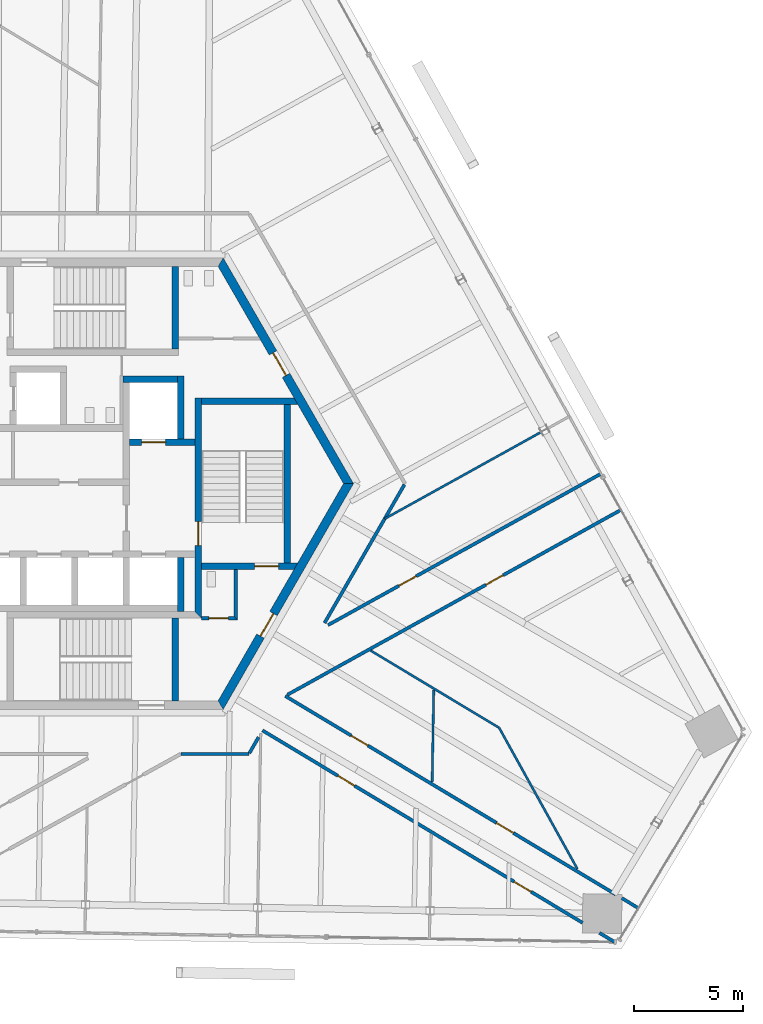
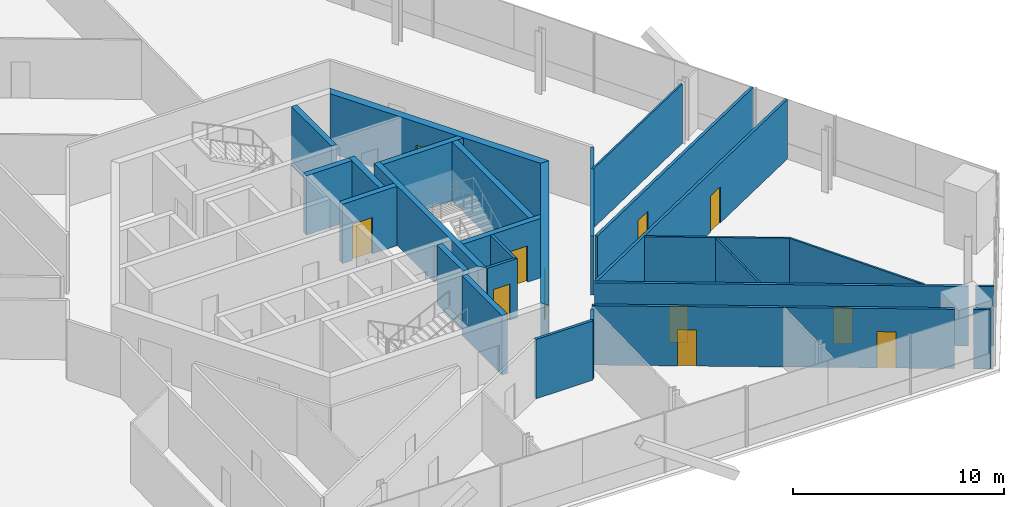
# One storey, part 13 of 18: 27 walls, 12 doors, 12 openings.
"""IFC4 building model written with IfcOpenShell, lengths in metres."""

from ifc_helpers import new_model, si_unit, direction, frame, frame_2d, origin, place, context, subcontext, project, spatial, polyline, rectangle, outline, extrude, source, transform, mapped, material, layer, layer_set, type_object, element, fill, save


model = new_model("IFC4")

# Units and contexts
model_context = context("Model", 3, precision=1e-05, world=origin(), true_north=direction((0.0, 1.0)))
body_context = subcontext(model_context, "Body", "Model", "MODEL_VIEW")
ifc_project = project(units=[si_unit("LENGTHUNIT", "METRE"), si_unit("AREAUNIT", "SQUARE_METRE"), si_unit("VOLUMEUNIT", "CUBIC_METRE"), si_unit("PLANEANGLEUNIT", "RADIAN"), si_unit("MASSUNIT", "GRAM", prefix="KILO")], contexts=[model_context])

# Site, building, storey
site_placement = place(None, origin())
site = spatial("IfcSite", under=ifc_project, at=site_placement, CompositionType="ELEMENT")
building_placement = place(site_placement, origin())
building = spatial("IfcBuilding", under=site, at=building_placement, Name="Triune Harvest Tower", CompositionType="ELEMENT")
storey_placement = place(building_placement, frame((0.0, 0.0, 190.699951171875)))
storey = spatial("IfcBuildingStorey", under=building, at=storey_placement, Name="L49", CompositionType="ELEMENT", Elevation=190.699951171875)

# Wall, openings, doors
ifc_material_1 = material(Name="Gypsum board on steel studs", Category="steel")
ifc_layer_1 = layer(ifc_material_1, 0.14990234375)
ifc_layer_set_1 = layer_set([ifc_layer_1], Name="Gypsum board on steel studs")
wall_type_1 = type_object("IfcWallType", Name="Fire Partition 150 mm", PredefinedType="PARTITIONING", material=ifc_layer_set_1)
wall_1_placement = place(storey_placement, frame((7.8095703125, -11.358154296875, 0.0), z_axis=(0.0, 0.0, 1.0), x_axis=(0.857164384255, -0.515042928663, 0.0)))
wall_1 = element("IfcWall", 1, at=wall_1_placement, inside=storey, type_object=wall_type_1, Name="Partition L49 006", PredefinedType="PARTITIONING", context=body_context, shape_type="SweptSolid", body=[
    extrude(rectangle(XDim=17.18798828125, YDim=0.14990234375, at=frame_2d((8.593994140625, 0.0))), origin(), (0.0, 0.0, 1.0), 3.43994140625),
])
opening_1_placement = place(wall_1_placement, frame((4.050048828125, 0.0, 0.0)))
opening_1 = element("IfcOpeningElement", 2, at=opening_1_placement, cuts=wall_1, Name="Opening L49-015", PredefinedType="OPENING", context=body_context, shape_type="SweptSolid", body=[
    extrude(rectangle(XDim=0.89990234375, YDim=2.10009765625, at=frame_2d((0.449951171875, 1.050048828125))), frame((0.0, 0.0849609375, 0.0), z_axis=(0.0, -1.0, 0.0), x_axis=(1.0, 0.0, 0.0)), (0.0, 0.0, 1.0), 0.169921875),
])
opening_2_placement = place(wall_1_placement, frame((13.511962890625, 0.0, 0.0)))
opening_2 = element("IfcOpeningElement", 3, at=opening_2_placement, cuts=wall_1, Name="Opening L49-018", PredefinedType="OPENING", context=body_context, shape_type="SweptSolid", body=[
    extrude(rectangle(XDim=0.89990234375, YDim=2.10009765625, at=frame_2d((0.449951171875, 1.050048828125))), frame((0.0, 0.0849609375, 0.0), z_axis=(0.0, -1.0, 0.0), x_axis=(1.0, 0.0, 0.0)), (0.0, 0.0, 1.0), 0.169921875),
])
ifc_material_2 = material(Name="Timber and steel door set", Category="steel")
door_type_1 = type_object("IfcDoorType", Name="Single leaf door FD30 left hand 900 x 2100", OperationType="SINGLE_SWING_LEFT", PredefinedType="DOOR", material=ifc_material_2)
door_1_placement = place(opening_2_placement, origin())
door_1 = element("IfcDoor", 4, at=door_1_placement, inside=storey, type_object=door_type_1, Name="Door L49-018 Dry Store Room 49.18", OperationType="SINGLE_SWING_LEFT", OverallHeight=2.10009765625, OverallWidth=0.89990234375, PredefinedType="DOOR", context=body_context, shape_type="SweptSolid", body=[
    extrude(rectangle(XDim=0.89990234375, YDim=2.10009765625, at=frame_2d((0.449951171875, 1.050048828125))), frame((0.0, 0.02490234375, 0.0), z_axis=(0.0, -1.0, 0.0), x_axis=(1.0, 0.0, 0.0)), (0.0, 0.0, 1.0), 0.050048828125),
])
fill(opening_2, door_1)
ifc_material_3 = material(Name="Timber and steel door set", Category="steel")
door_type_2 = type_object("IfcDoorType", Name="Single leaf door FD30 right hand 900 x 2100", OperationType="SINGLE_SWING_RIGHT", PredefinedType="DOOR", material=ifc_material_3)
door_2_placement = place(opening_1_placement, origin())
door_2 = element("IfcDoor", 5, at=door_2_placement, inside=storey, type_object=door_type_2, Name="Door L49-015 Open Office 49.15", OperationType="SINGLE_SWING_RIGHT", OverallHeight=2.10009765625, OverallWidth=0.89990234375, PredefinedType="DOOR", context=body_context, shape_type="SweptSolid", body=[
    extrude(rectangle(XDim=0.89990234375, YDim=2.10009765625, at=frame_2d((0.449951171875, 1.050048828125))), frame((0.0, 0.02490234375, 0.0), z_axis=(0.0, -1.0, 0.0), x_axis=(1.0, 0.0, 0.0)), (0.0, 0.0, 1.0), 0.050048828125),
])
fill(opening_1, door_2)

# Wall
wall_2_placement = place(storey_placement, frame((23.3154296875, -20.675048828125, 0.0), z_axis=(0.0, 0.0, 1.0), x_axis=(0.857152999677, -0.515061875065, 0.0)))
element("IfcWall", 6, at=wall_2_placement, inside=storey, type_object=wall_type_1, Name="Partition L49 007", PredefinedType="PARTITIONING", context=body_context, shape_type="SweptSolid", body=[
    extrude(rectangle(XDim=0.82421875, YDim=0.14990234375, at=frame_2d((0.412109375, 0.0))), origin(), (0.0, 0.0, 1.0), 3.43994140625),
])

# Wall, openings, doors
wall_3_placement = place(storey_placement, frame((8.858154296875, -9.771484375, 0.0), z_axis=(0.0, 0.0, 1.0), x_axis=(0.857168517192, -0.515036050326, 0.0)))
wall_3 = element("IfcWall", 7, at=wall_3_placement, inside=storey, type_object=wall_type_1, Name="Partition L49 009", PredefinedType="PARTITIONING", context=body_context, shape_type="SweptSolid", body=[
    extrude(rectangle(XDim=17.739013671875, YDim=0.14990234375, at=frame_2d((8.86962890625, 0.0))), origin(), (0.0, 0.0, 1.0), 3.43994140625),
])
opening_3_placement = place(wall_3_placement, frame((3.533203125, 0.0, 0.0)))
opening_3 = element("IfcOpeningElement", 8, at=opening_3_placement, cuts=wall_3, Name="Opening L49-016", PredefinedType="OPENING", context=body_context, shape_type="SweptSolid", body=[
    extrude(rectangle(XDim=0.89990234375, YDim=2.10009765625, at=frame_2d((0.449951171875, 1.050048828125))), frame((0.0, 0.0849609375, 0.0), z_axis=(0.0, -1.0, 0.0), x_axis=(1.0, 0.0, 0.0)), (0.0, 0.0, 1.0), 0.169921875),
])
opening_4_placement = place(wall_3_placement, frame((11.345947265625, 0.0, 0.0)))
opening_4 = element("IfcOpeningElement", 9, at=opening_4_placement, cuts=wall_3, Name="Opening L49-017", PredefinedType="OPENING", context=body_context, shape_type="SweptSolid", body=[
    extrude(rectangle(XDim=0.89990234375, YDim=2.10009765625, at=frame_2d((0.449951171875, 1.050048828125))), frame((0.0, 0.0849609375, 0.0), z_axis=(0.0, -1.0, 0.0), x_axis=(1.0, 0.0, 0.0)), (0.0, 0.0, 1.0), 0.169921875),
])
door_3_placement = place(opening_3_placement, origin())
door_3 = element("IfcDoor", 10, at=door_3_placement, inside=storey, type_object=door_type_1, Name="Door L49-016 Open Office 49.16", OperationType="SINGLE_SWING_LEFT", OverallHeight=2.10009765625, OverallWidth=0.89990234375, PredefinedType="DOOR", context=body_context, shape_type="SweptSolid", body=[
    extrude(rectangle(XDim=0.89990234375, YDim=2.10009765625, at=frame_2d((0.449951171875, 1.050048828125))), frame((0.0, 0.02490234375, 0.0), z_axis=(0.0, -1.0, 0.0), x_axis=(1.0, 0.0, 0.0)), (0.0, 0.0, 1.0), 0.050048828125),
])
fill(opening_3, door_3)
door_4_placement = place(opening_4_placement, origin())
door_4 = element("IfcDoor", 11, at=door_4_placement, inside=storey, type_object=door_type_2, Name="Door L49-017 Pantry 49.17", OperationType="SINGLE_SWING_RIGHT", OverallHeight=2.10009765625, OverallWidth=0.89990234375, PredefinedType="DOOR", context=body_context, shape_type="SweptSolid", body=[
    extrude(rectangle(XDim=0.89990234375, YDim=2.10009765625, at=frame_2d((0.449951171875, 1.050048828125))), frame((0.0, 0.02490234375, 0.0), z_axis=(0.0, -1.0, 0.0), x_axis=(1.0, 0.0, 0.0)), (0.0, 0.0, 1.0), 0.050048828125),
])
fill(opening_4, door_4)

# Wall
wall_4_placement = place(storey_placement, frame((24.342529296875, -19.075439453125, 0.0), z_axis=(0.0, 0.0, 1.0), x_axis=(0.857035300421, -0.515257696529, 0.0)))
element("IfcWall", 12, at=wall_4_placement, inside=storey, type_object=wall_type_1, Name="Partition L49 010", PredefinedType="PARTITIONING", context=body_context, shape_type="SweptSolid", body=[
    extrude(rectangle(XDim=0.89501953125, YDim=0.14990234375, at=frame_2d((0.447509765625, 0.0))), origin(), (0.0, 0.0, 1.0), 3.43994140625),
])

# Wall, opening, door
wall_5_placement = place(storey_placement, frame((8.954345703125, -9.71826171875, 0.0), z_axis=(0.0, 0.0, 1.0), x_axis=(0.874618658171, 0.484811512631, 0.0)))
wall_5 = element("IfcWall", 13, at=wall_5_placement, inside=storey, type_object=wall_type_1, Name="Partition L49 021", PredefinedType="PARTITIONING", context=body_context, shape_type="SweptSolid", body=[
    extrude(rectangle(XDim=17.556640625, YDim=0.14990234375, at=frame_2d((8.7783203125, 0.0))), origin(), (0.0, 0.0, 1.0), 3.43994140625),
])
opening_5_placement = place(wall_5_placement, frame((10.443603515625, 0.0, 0.0)))
opening_5 = element("IfcOpeningElement", 14, at=opening_5_placement, cuts=wall_5, Name="Opening L49-002", PredefinedType="OPENING", context=body_context, shape_type="SweptSolid", body=[
    extrude(rectangle(XDim=0.89990234375, YDim=2.10009765625, at=frame_2d((0.449951171875, 1.050048828125))), frame((0.0, 0.0849609375, 0.0), z_axis=(0.0, -1.0, 0.0), x_axis=(1.0, 0.0, 0.0)), (0.0, 0.0, 1.0), 0.169921875),
])
door_5_placement = place(opening_5_placement, origin())
door_5 = element("IfcDoor", 15, at=door_5_placement, inside=storey, type_object=door_type_1, Name="Door L49-002 Office 49.02", OperationType="SINGLE_SWING_LEFT", OverallHeight=2.10009765625, OverallWidth=0.89990234375, PredefinedType="DOOR", context=body_context, shape_type="SweptSolid", body=[
    extrude(rectangle(XDim=0.89990234375, YDim=2.10009765625, at=frame_2d((0.449951171875, 1.050048828125))), frame((0.0, 0.02490234375, 0.0), z_axis=(0.0, -1.0, 0.0), x_axis=(1.0, 0.0, 0.0)), (0.0, 0.0, 1.0), 0.050048828125),
])
fill(opening_5, door_5)

# Walls
wall_6_placement = place(storey_placement, frame((7.20849609375, -12.3994140625, 0.0), z_axis=(0.0, 0.0, 1.0), x_axis=(0.49975591337, 0.86616628141, 0.0)))
element("IfcWall", 16, at=wall_6_placement, inside=storey, type_object=wall_type_1, Name="Partition L49 028", PredefinedType="PARTITIONING", context=body_context, shape_type="SweptSolid", body=[
    extrude(rectangle(XDim=0.84228515625, YDim=0.14990234375, at=frame_2d((0.421142578125, 0.0))), origin(), (0.0, 0.0, 1.0), 3.43994140625),
])
wall_7_placement = place(storey_placement, frame((10.665283203125, -6.411865234375, 0.0), z_axis=(0.0, 0.0, 1.0), x_axis=(0.499966723152, 0.866044615329, 0.0)))
element("IfcWall", 17, at=wall_7_placement, inside=storey, type_object=wall_type_1, Name="Partition L49 029", PredefinedType="PARTITIONING", context=body_context, shape_type="SweptSolid", body=[
    extrude(rectangle(XDim=7.35400390625, YDim=0.14990234375, at=frame_2d((3.677001953125, 0.0))), origin(), (0.0, 0.0, 1.0), 3.43994140625),
])
ifc_material_4 = material(Name="Gypsum board on steel studs", Category="steel")
ifc_layer_2 = layer(ifc_material_4, 0.10009765625)
ifc_layer_set_2 = layer_set([ifc_layer_2], Name="Gypsum board on steel studs")
wall_type_2 = type_object("IfcWallType", Name="Partition 100 mm", PredefinedType="PARTITIONING", material=ifc_layer_set_2)
wall_8_placement = place(storey_placement, frame((18.7001953125, -11.236083984375, 0.0), z_axis=(0.0, 0.0, 1.0), x_axis=(0.484783085913, -0.874634414834, 0.0)))
element("IfcWall", 18, at=wall_8_placement, inside=storey, type_object=wall_type_2, Name="Partition L49 001", PredefinedType="PARTITIONING", context=body_context, shape_type="SweptSolid", body=[
    extrude(rectangle(XDim=7.42724609375, YDim=0.10009765625, at=frame_2d((3.713623046875, 0.0))), origin(), (0.0, 0.0, 1.0), 3.43994140625),
])
wall_9_placement = place(storey_placement, frame((12.78662109375, -7.68310546875, 0.0), z_axis=(0.0, 0.0, 1.0), x_axis=(0.857173792753, -0.515027270168, 0.0)))
element("IfcWall", 19, at=wall_9_placement, inside=storey, type_object=wall_type_2, Name="Partition L49 011", PredefinedType="PARTITIONING", context=body_context, shape_type="SweptSolid", body=[
    extrude(rectangle(XDim=6.888671875, YDim=0.10009765625, at=frame_2d((3.4443359375, 0.0))), origin(), (0.0, 0.0, 1.0), 3.43994140625),
])
wall_10_placement = place(storey_placement, frame((15.616943359375, -13.74169921875, 0.0), z_axis=(0.0, 0.0, 1.0), x_axis=(0.017448548783, 0.999847762485, 0.0)))
element("IfcWall", 20, at=wall_10_placement, inside=storey, type_object=wall_type_2, Name="Partition L49 034", PredefinedType="PARTITIONING", context=body_context, shape_type="SweptSolid", body=[
    extrude(rectangle(XDim=4.253662109375, YDim=0.10009765625, at=frame_2d((2.126953125, 0.0))), origin(), (0.0, 0.0, 1.0), 3.43994140625),
])

# Wall, opening, door
ifc_material_5 = material(Name="Concrete 70 MPa", Category="concrete")
ifc_layer_3 = layer(ifc_material_5, 0.39990234375)
ifc_layer_set_3 = layer_set([ifc_layer_3], Name="Concrete 70 MPa")
wall_type_3 = type_object("IfcWallType", Name="Core wall 400", PredefinedType="SHEAR", material=ifc_layer_set_3)
shared_shape_1 = source(origin(), body_context, "Body", "SweptSolid", [
    extrude(outline(polyline([(-0.115478515625, -0.199951171875), (11.884521484375, -0.199951171875), (11.653564453125, 0.199951171875), (0.115478515625, 0.199951171875), (-0.115478515625, -0.199951171875)])), origin(), (0.0, 0.0, 1.0), 3.43994140625),
])
wall_11_placement = place(storey_placement, frame((11.76904296875, 0.0, 0.0), z_axis=(0.0, 0.0, 1.0), x_axis=(-0.499996592174, 0.866027371285, 0.0)))
wall_11 = element("IfcWall", 21, at=wall_11_placement, inside=storey, type_object=wall_type_3, Name="Hexagon 0 wall", PredefinedType="SHEAR", context=body_context, shape_type="MappedRepresentation", body=[
    mapped(shared_shape_1, transform((0.0, 0.0, 0.0), scale=1.0)),
])
opening_6_placement = place(wall_11_placement, frame((5.75048828125, 0.0, 0.0)))
opening_6 = element("IfcOpeningElement", 22, at=opening_6_placement, cuts=wall_11, Name="Opening CD-WCP", PredefinedType="OPENING", context=body_context, shape_type="SweptSolid", body=[
    extrude(rectangle(XDim=1.199951171875, YDim=2.10009765625, at=frame_2d((0.60009765625, 1.050048828125))), frame((0.0, 0.2099609375, 0.0), z_axis=(0.0, -1.0, 0.0), x_axis=(1.0, 0.0, 0.0)), (0.0, 0.0, 1.0), 0.419921875),
])
ifc_material_6 = material(Name="Steel S235", Category="steel")
door_type_3 = type_object("IfcDoorType", Name="Lobby door 1200 FD120", OperationType="SINGLE_SWING_LEFT", PredefinedType="DOOR", material=ifc_material_6)
door_6_placement = place(opening_6_placement, frame((1.199951171875, 0.0, 0.0), z_axis=(0.0, 0.0, 1.0), x_axis=(-1.0, 0.0, 0.0)))
door_6 = element("IfcDoor", 23, at=door_6_placement, inside=storey, type_object=door_type_3, Name="Door CD-WCP", OperationType="SINGLE_SWING_RIGHT", OverallHeight=2.10009765625, OverallWidth=1.199951171875, PredefinedType="DOOR", context=body_context, shape_type="SweptSolid", body=[
    extrude(rectangle(XDim=1.199951171875, YDim=2.10009765625, at=frame_2d((0.60009765625, 1.050048828125))), frame((0.0, 0.02490234375, 0.0), z_axis=(0.0, -1.0, 0.0), x_axis=(1.0, 0.0, 0.0)), (0.0, 0.0, 1.0), 0.050048828125),
])
fill(opening_6, door_6)

wall_12_placement = place(storey_placement, frame((5.884521484375, -10.1923828125, 0.0), z_axis=(0.0, 0.0, 1.0), x_axis=(0.499996592174, 0.866027371285, 0.0)))
wall_12 = element("IfcWall", 24, at=wall_12_placement, inside=storey, type_object=wall_type_3, Name="Hexagon 5 wall", PredefinedType="SHEAR", context=body_context, shape_type="MappedRepresentation", body=[
    mapped(shared_shape_1, transform((0.0, 0.0, 0.0), scale=1.0)),
])
opening_7_placement = place(wall_12_placement, frame((3.66455078125, 0.0, 0.0)))
opening_7 = element("IfcOpeningElement", 25, at=opening_7_placement, cuts=wall_12, Name="Opening CD-DP", PredefinedType="OPENING", context=body_context, shape_type="SweptSolid", body=[
    extrude(rectangle(XDim=1.199951171875, YDim=2.10009765625, at=frame_2d((0.60009765625, 1.050048828125))), frame((0.0, 0.2099609375, 0.0), z_axis=(0.0, -1.0, 0.0), x_axis=(1.0, 0.0, 0.0)), (0.0, 0.0, 1.0), 0.419921875),
])
ifc_material_7 = material(Name="Steel S235", Category="steel")
door_type_4 = type_object("IfcDoorType", Name="Stair door 1200 FD120", OperationType="SINGLE_SWING_LEFT", PredefinedType="DOOR", material=ifc_material_7)
door_7_placement = place(opening_7_placement, frame((1.199951171875, 0.0, 0.0), z_axis=(0.0, 0.0, 1.0), x_axis=(-1.0, 0.0, 0.0)))
door_7 = element("IfcDoor", 26, at=door_7_placement, inside=storey, type_object=door_type_4, Name="Door CD-DP", OperationType="SINGLE_SWING_RIGHT", OverallHeight=2.10009765625, OverallWidth=1.199951171875, PredefinedType="DOOR", context=body_context, shape_type="SweptSolid", body=[
    extrude(rectangle(XDim=1.199951171875, YDim=2.10009765625, at=frame_2d((0.60009765625, 1.050048828125))), frame((0.0, 0.02490234375, 0.0), z_axis=(0.0, -1.0, 0.0), x_axis=(1.0, 0.0, 0.0)), (0.0, 0.0, 1.0), 0.050048828125),
])
fill(opening_7, door_7)

# Walls
ifc_material_8 = material(Name="Concrete 70 MPa", Category="concrete")
ifc_layer_4 = layer(ifc_material_8, 0.300048828125)
ifc_layer_set_4 = layer_set([ifc_layer_4], Name="Concrete 70 MPa")
wall_type_4 = type_object("IfcWallType", Name="Core wall 300", PredefinedType="SHEAR", material=ifc_layer_set_4)
shared_shape_2 = source(origin(), body_context, "Body", "SweptSolid", [
    extrude(rectangle(XDim=2.5, YDim=0.300048828125, at=frame_2d((1.25, 0.0))), origin(), (0.0, 0.0, 1.0), 3.43994140625),
])
for number, where, z_axis, x_axis, name in (
    (27, (1.39990234375, 4.81005859375, 0.0), (0.0, 0.0, 1.0), (1.0, 0.0, 0.0), "Ff1 back wall"),
    (28, (4.050048828125, -5.889892578125, 0.0), (0.0, 0.0, 1.0), (0.0, 1.0, 0.0), "Ff2 east wall"),
):
    element("IfcWall", number, at=place(storey_placement, frame(where, z_axis=z_axis, x_axis=x_axis)), inside=storey, type_object=wall_type_4, Name=name, PredefinedType="SHEAR", context=body_context, shape_type="MappedRepresentation", body=[
        mapped(shared_shape_2, transform((0.0, 0.0, 0.0), scale=1.0)),
    ])

# Wall, opening, door
shared_shape_3 = source(origin(), body_context, "Body", "SweptSolid", [
    extrude(rectangle(XDim=3.0, YDim=0.300048828125, at=frame_2d((1.5, 0.0))), origin(), (0.0, 0.0, 1.0), 3.43994140625),
])
wall_13_placement = place(storey_placement, frame((1.699951171875, 1.909912109375, 0.0), z_axis=(0.0, 0.0, 1.0), x_axis=(1.0, 0.0, 0.0)))
wall_13 = element("IfcWall", 29, at=wall_13_placement, inside=storey, type_object=wall_type_4, Name="Ff1 front wall", PredefinedType="SHEAR", context=body_context, shape_type="MappedRepresentation", body=[
    mapped(shared_shape_3, transform((0.0, 0.0, 0.0), scale=1.0)),
])
opening_8_placement = place(wall_13_placement, frame((0.550048828125, 0.0, 0.0)))
opening_8 = element("IfcOpeningElement", 30, at=opening_8_placement, cuts=wall_13, Name="Opening LD-FF1-49", PredefinedType="OPENING", context=body_context, shape_type="SweptSolid", body=[
    extrude(rectangle(XDim=1.10009765625, YDim=2.10009765625, at=frame_2d((0.550048828125, 1.050048828125))), frame((0.0, 0.16015625, 0.0), z_axis=(0.0, -1.0, 0.0), x_axis=(1.0, 0.0, 0.0)), (0.0, 0.0, 1.0), 0.320068359375),
])
ifc_material_9 = material(Name="Stainless steel AISI 304", Category="steel")
door_type_5 = type_object("IfcDoorType", Name="Landing door 1100 x 2100", OperationType="DOUBLE_DOOR_SLIDING", PredefinedType="DOOR", material=ifc_material_9)
door_8_placement = place(opening_8_placement, origin())
door_8 = element("IfcDoor", 31, at=door_8_placement, inside=storey, type_object=door_type_5, Name="Door LD-FF1-49", OperationType="DOUBLE_DOOR_SLIDING", OverallHeight=2.10009765625, OverallWidth=1.10009765625, PredefinedType="DOOR", context=body_context, shape_type="SweptSolid", body=[
    extrude(rectangle(XDim=1.10009765625, YDim=2.10009765625, at=frame_2d((0.550048828125, 1.050048828125))), frame((0.0, 0.02490234375, 0.0), z_axis=(0.0, -1.0, 0.0), x_axis=(1.0, 0.0, 0.0)), (0.0, 0.0, 1.0), 0.050048828125),
])
fill(opening_8, door_8)

# Wall
shared_shape_4 = source(origin(), body_context, "Body", "SweptSolid", [
    extrude(rectangle(XDim=2.89990234375, YDim=0.300048828125, at=frame_2d((1.449951171875, 0.0))), origin(), (0.0, 0.0, 1.0), 3.43994140625),
])
wall_14_placement = place(storey_placement, frame((4.050048828125, 2.06005859375, 0.0), z_axis=(0.0, 0.0, 1.0), x_axis=(0.0, 1.0, 0.0)))
element("IfcWall", 32, at=wall_14_placement, inside=storey, type_object=wall_type_4, Name="Ff1 east wall", PredefinedType="SHEAR", context=body_context, shape_type="MappedRepresentation", body=[
    mapped(shared_shape_4, transform((0.0, 0.0, 0.0), scale=1.0)),
])

# Wall, opening, door
shared_shape_5 = source(origin(), body_context, "Body", "SweptSolid", [
    extrude(outline(polyline([(-0.14990234375, -0.14990234375), (9.989990234375, -0.14990234375), (9.989990234375, 0.14990234375), (0.14990234375, 0.14990234375), (-0.14990234375, -0.14990234375)])), origin(), (0.0, 0.0, 1.0), 3.43994140625),
])
wall_15_placement = place(storey_placement, frame((4.85009765625, -6.0400390625, 0.0), z_axis=(0.0, 0.0, 1.0), x_axis=(0.0, 1.0, 0.0)))
wall_15 = element("IfcWall", 33, at=wall_15_placement, inside=storey, type_object=wall_type_4, Name="Stair e west wall", PredefinedType="SHEAR", context=body_context, shape_type="MappedRepresentation", body=[
    mapped(shared_shape_5, transform((0.0, 0.0, 0.0), scale=1.0)),
])
opening_9_placement = place(wall_15_placement, frame((3.18994140625, 0.0, 0.0)))
opening_9 = element("IfcOpeningElement", 34, at=opening_9_placement, cuts=wall_15, Name="Opening CD-S3L", PredefinedType="OPENING", context=body_context, shape_type="SweptSolid", body=[
    extrude(rectangle(XDim=1.10009765625, YDim=2.10009765625, at=frame_2d((0.550048828125, 1.050048828125))), frame((0.0, 0.16015625, 0.0), z_axis=(0.0, -1.0, 0.0), x_axis=(1.0, 0.0, 0.0)), (0.0, 0.0, 1.0), 0.320068359375),
])
ifc_material_10 = material(Name="Steel S235", Category="steel")
door_type_6 = type_object("IfcDoorType", Name="Stair door 1100 FD120", OperationType="SINGLE_SWING_LEFT", PredefinedType="DOOR", material=ifc_material_10)
door_9_placement = place(opening_9_placement, frame((1.10009765625, 0.0, 0.0), z_axis=(0.0, 0.0, 1.0), x_axis=(-1.0, 0.0, 0.0)))
door_9 = element("IfcDoor", 35, at=door_9_placement, inside=storey, type_object=door_type_6, Name="Door CD-S3L", OperationType="SINGLE_SWING_RIGHT", OverallHeight=2.10009765625, OverallWidth=1.10009765625, PredefinedType="DOOR", context=body_context, shape_type="SweptSolid", body=[
    extrude(rectangle(XDim=1.10009765625, YDim=2.10009765625, at=frame_2d((0.550048828125, 1.050048828125))), frame((0.0, 0.02490234375, 0.0), z_axis=(0.0, -1.0, 0.0), x_axis=(1.0, 0.0, 0.0)), (0.0, 0.0, 1.0), 0.050048828125),
])
fill(opening_9, door_9)

# Wall
shared_shape_6 = source(origin(), body_context, "Body", "SweptSolid", [
    extrude(outline(polyline([(0.0, -0.14990234375), (0.0, 0.14990234375), (4.260009765625, 0.14990234375), (4.43310546875, -0.14990234375), (0.0, -0.14990234375)])), origin(), (0.0, 0.0, 1.0), 3.43994140625),
])
wall_16_placement = place(storey_placement, frame((5.0, 3.800048828125, 0.0), z_axis=(0.0, 0.0, 1.0), x_axis=(1.0, 0.0, 0.0)))
element("IfcWall", 36, at=wall_16_placement, inside=storey, type_object=wall_type_4, Name="Stair e north wall", PredefinedType="SHEAR", context=body_context, shape_type="MappedRepresentation", body=[
    mapped(shared_shape_6, transform((0.0, 0.0, 0.0), scale=1.0)),
])

# Wall, opening, door
shared_shape_7 = source(origin(), body_context, "Body", "SweptSolid", [
    extrude(outline(polyline([(0.0, -0.14990234375), (0.0, 0.14990234375), (4.43310546875, 0.14990234375), (4.260009765625, -0.14990234375), (0.0, -0.14990234375)])), origin(), (0.0, 0.0, 1.0), 3.43994140625),
])
wall_17_placement = place(storey_placement, frame((5.0, -3.800048828125, 0.0), z_axis=(0.0, 0.0, 1.0), x_axis=(1.0, 0.0, 0.0)))
wall_17 = element("IfcWall", 37, at=wall_17_placement, inside=storey, type_object=wall_type_4, Name="Stair e south wall", PredefinedType="SHEAR", context=body_context, shape_type="MappedRepresentation", body=[
    mapped(shared_shape_7, transform((0.0, 0.0, 0.0), scale=1.0)),
])
opening_10_placement = place(wall_17_placement, frame((2.449951171875, 0.0, 0.0)))
opening_10 = element("IfcOpeningElement", 38, at=opening_10_placement, cuts=wall_17, Name="Opening CD-S3D", PredefinedType="OPENING", context=body_context, shape_type="SweptSolid", body=[
    extrude(rectangle(XDim=1.10009765625, YDim=2.10009765625, at=frame_2d((0.550048828125, 1.050048828125))), frame((0.0, 0.16015625, 0.0), z_axis=(0.0, -1.0, 0.0), x_axis=(1.0, 0.0, 0.0)), (0.0, 0.0, 1.0), 0.320068359375),
])
door_10_placement = place(opening_10_placement, frame((1.10009765625, 0.0, 0.0), z_axis=(0.0, 0.0, 1.0), x_axis=(-1.0, 0.0, 0.0)))
door_10 = element("IfcDoor", 39, at=door_10_placement, inside=storey, type_object=door_type_6, Name="Door CD-S3D", OperationType="SINGLE_SWING_RIGHT", OverallHeight=2.10009765625, OverallWidth=1.10009765625, PredefinedType="DOOR", context=body_context, shape_type="SweptSolid", body=[
    extrude(rectangle(XDim=1.10009765625, YDim=2.10009765625, at=frame_2d((0.550048828125, 1.050048828125))), frame((0.0, 0.02490234375, 0.0), z_axis=(0.0, -1.0, 0.0), x_axis=(1.0, 0.0, 0.0)), (0.0, 0.0, 1.0), 0.050048828125),
])
fill(opening_10, door_10)

# Walls
shared_shape_8 = source(origin(), body_context, "Body", "SweptSolid", [
    extrude(rectangle(XDim=7.2998046875, YDim=0.300048828125, at=frame_2d((3.64990234375, 0.0))), origin(), (0.0, 0.0, 1.0), 3.43994140625),
])
wall_18_placement = place(storey_placement, frame((8.949951171875, -3.64990234375, 0.0), z_axis=(0.0, 0.0, 1.0), x_axis=(0.0, 1.0, 0.0)))
element("IfcWall", 40, at=wall_18_placement, inside=storey, type_object=wall_type_4, Name="Stair e east wall", PredefinedType="SHEAR", context=body_context, shape_type="MappedRepresentation", body=[
    mapped(shared_shape_8, transform((0.0, 0.0, 0.0), scale=1.0)),
])
shared_shape_9 = source(origin(), body_context, "Body", "SweptSolid", [
    extrude(outline(polyline([(0.0, -0.14990234375), (0.0, 0.14990234375), (3.80419921875, 0.14990234375), (3.80419921875, -0.14990234375), (0.0, -0.14990234375)])), origin(), (0.0, 0.0, 1.0), 3.43994140625),
])
wall_19_placement = place(storey_placement, frame((3.800048828125, 6.18994140625, 0.0), z_axis=(0.0, 0.0, 1.0), x_axis=(0.0, 1.0, 0.0)))
element("IfcWall", 41, at=wall_19_placement, inside=storey, type_object=wall_type_4, Name="Stair n east wall", PredefinedType="SHEAR", context=body_context, shape_type="MappedRepresentation", body=[
    mapped(shared_shape_9, transform((0.0, 0.0, 0.0), scale=1.0)),
])
shared_shape_10 = source(origin(), body_context, "Body", "SweptSolid", [
    extrude(outline(polyline([(3.800048828125, -0.14990234375), (-0.00439453125, -0.14990234375), (-0.00439453125, 0.14990234375), (3.800048828125, 0.14990234375), (3.800048828125, -0.14990234375)])), origin(), (0.0, 0.0, 1.0), 3.43994140625),
])
wall_20_placement = place(storey_placement, frame((3.800048828125, -9.989990234375, 0.0), z_axis=(0.0, 0.0, 1.0), x_axis=(0.0, 1.0, 0.0)))
element("IfcWall", 42, at=wall_20_placement, inside=storey, type_object=wall_type_4, Name="Stair s east wall", PredefinedType="SHEAR", context=body_context, shape_type="MappedRepresentation", body=[
    mapped(shared_shape_10, transform((0.0, 0.0, 0.0), scale=1.0)),
])

# Wall, opening, door
ifc_material_11 = material(Name="Concrete masonry unit", Category="masonry")
ifc_layer_5 = layer(ifc_material_11, 0.14990234375)
ifc_layer_set_5 = layer_set([ifc_layer_5], Name="Concrete masonry unit")
wall_type_5 = type_object("IfcWallType", Name="Block partition 150 unrated", PredefinedType="PARTITIONING", material=ifc_layer_set_5)
shared_shape_11 = source(origin(), body_context, "Body", "SweptSolid", [
    extrude(outline(polyline([(0.0, -0.074951171875), (1.64990234375, -0.074951171875), (1.5, 0.074951171875), (0.0, 0.074951171875), (0.0, -0.074951171875)])), origin(), (0.0, 0.0, 1.0), 3.43994140625),
])
wall_21_placement = place(storey_placement, frame((5.0, -6.18994140625, 0.0), z_axis=(0.0, 0.0, 1.0), x_axis=(1.0, 0.0, 0.0)))
wall_21 = element("IfcWall", 43, at=wall_21_placement, inside=storey, type_object=wall_type_5, Name="Wc acc south wall", PredefinedType="PARTITIONING", context=body_context, shape_type="MappedRepresentation", body=[
    mapped(shared_shape_11, transform((0.0, 0.0, 0.0), scale=1.0)),
])
opening_11_placement = place(wall_21_placement, frame((0.33740234375, 0.0, 0.0)))
opening_11 = element("IfcOpeningElement", 44, at=opening_11_placement, cuts=wall_21, Name="Opening CD-WA", PredefinedType="OPENING", context=body_context, shape_type="SweptSolid", body=[
    extrude(rectangle(XDim=0.89990234375, YDim=2.10009765625, at=frame_2d((0.449951171875, 1.050048828125))), frame((0.0, 0.0849609375, 0.0), z_axis=(0.0, -1.0, 0.0), x_axis=(1.0, 0.0, 0.0)), (0.0, 0.0, 1.0), 0.169921875),
])
ifc_material_12 = material(Name="Timber C24", Category="wood")
door_type_7 = type_object("IfcDoorType", Name="WC door 900", OperationType="SINGLE_SWING_LEFT", PredefinedType="DOOR", material=ifc_material_12)
door_11_placement = place(opening_11_placement, origin())
door_11 = element("IfcDoor", 45, at=door_11_placement, inside=storey, type_object=door_type_7, Name="Door CD-WA", OperationType="SINGLE_SWING_LEFT", OverallHeight=2.10009765625, OverallWidth=0.89990234375, PredefinedType="DOOR", context=body_context, shape_type="SweptSolid", body=[
    extrude(rectangle(XDim=0.89990234375, YDim=2.10009765625, at=frame_2d((0.449951171875, 1.050048828125))), frame((0.0, 0.02490234375, 0.0), z_axis=(0.0, -1.0, 0.0), x_axis=(1.0, 0.0, 0.0)), (0.0, 0.0, 1.0), 0.050048828125),
])
fill(opening_11, door_11)

# Walls
shared_shape_12 = source(origin(), body_context, "Body", "SweptSolid", [
    extrude(outline(polyline([(-0.074951171875, -0.074951171875), (2.239990234375, -0.074951171875), (2.239990234375, 0.074951171875), (0.074951171875, 0.074951171875), (-0.074951171875, -0.074951171875)])), origin(), (0.0, 0.0, 1.0), 3.43994140625),
])
wall_22_placement = place(storey_placement, frame((6.574951171875, -6.18994140625, 0.0), z_axis=(0.0, 0.0, 1.0), x_axis=(0.0, 1.0, 0.0)))
element("IfcWall", 46, at=wall_22_placement, inside=storey, type_object=wall_type_5, Name="Wc acc east wall", PredefinedType="PARTITIONING", context=body_context, shape_type="MappedRepresentation", body=[
    mapped(shared_shape_12, transform((0.0, 0.0, 0.0), scale=1.0)),
])
shared_shape_13 = source(origin(), body_context, "Body", "SweptSolid", [
    extrude(rectangle(XDim=3.12353515625, YDim=0.14990234375, at=frame_2d((1.561767578125, 0.0))), origin(), (0.0, 0.0, 1.0), 3.43994140625),
])
wall_23_placement = place(storey_placement, frame((4.06005859375, -12.4423828125, 0.0), z_axis=(0.0, 0.0, 1.0), x_axis=(1.0, 0.0, 0.0)))
element("IfcWall", 47, at=wall_23_placement, inside=storey, type_object=wall_type_1, Name="Partition L49 017", PredefinedType="PARTITIONING", context=body_context, shape_type="MappedRepresentation", body=[
    mapped(shared_shape_13, transform((0.0, 0.0, 0.0), scale=1.0)),
])

# Wall, opening, door
shared_shape_14 = source(origin(), body_context, "Body", "SweptSolid", [
    extrude(rectangle(XDim=14.36376953125, YDim=0.14990234375, at=frame_2d((7.181884765625, 0.0))), origin(), (0.0, 0.0, 1.0), 3.43994140625),
])
wall_24_placement = place(storey_placement, frame((10.825927734375, -6.50830078125, 0.0), z_axis=(0.0, 0.0, 1.0), x_axis=(0.874624284817, 0.484801361806, 0.0)))
wall_24 = element("IfcWall", 48, at=wall_24_placement, inside=storey, type_object=wall_type_1, Name="Partition L49 024", PredefinedType="PARTITIONING", context=body_context, shape_type="MappedRepresentation", body=[
    mapped(shared_shape_14, transform((0.0, 0.0, 0.0), scale=1.0)),
])
opening_12_placement = place(wall_24_placement, frame((3.739013671875, 0.0, 0.0)))
opening_12 = element("IfcOpeningElement", 49, at=opening_12_placement, cuts=wall_24, Name="Opening L49-001", PredefinedType="OPENING", context=body_context, shape_type="SweptSolid", body=[
    extrude(rectangle(XDim=0.89990234375, YDim=2.10009765625, at=frame_2d((0.449951171875, 1.050048828125))), frame((0.0, 0.0849609375, 0.0), z_axis=(0.0, -1.0, 0.0), x_axis=(1.0, 0.0, 0.0)), (0.0, 0.0, 1.0), 0.169921875),
])
door_12_placement = place(opening_12_placement, origin())
door_12 = element("IfcDoor", 50, at=door_12_placement, inside=storey, type_object=door_type_1, Name="Door L49-001 Meeting Room 49.01", OperationType="SINGLE_SWING_LEFT", OverallHeight=2.10009765625, OverallWidth=0.89990234375, PredefinedType="DOOR", context=body_context, shape_type="SweptSolid", body=[
    extrude(rectangle(XDim=0.89990234375, YDim=2.10009765625, at=frame_2d((0.449951171875, 1.050048828125))), frame((0.0, 0.02490234375, 0.0), z_axis=(0.0, -1.0, 0.0), x_axis=(1.0, 0.0, 0.0)), (0.0, 0.0, 1.0), 0.050048828125),
])
fill(opening_12, door_12)

# Wall
shared_shape_15 = source(origin(), body_context, "Body", "SweptSolid", [
    extrude(rectangle(XDim=8.238525390625, YDim=0.10009765625, at=frame_2d((4.119140625, 0.0))), origin(), (0.0, 0.0, 1.0), 3.43994140625),
])
wall_25_placement = place(storey_placement, frame((13.433349609375, -1.617431640625, 0.0), z_axis=(0.0, 0.0, 1.0), x_axis=(0.874618165904, 0.484812400698, 0.0)))
element("IfcWall", 51, at=wall_25_placement, inside=storey, type_object=wall_type_2, Name="Partition L49 025", PredefinedType="PARTITIONING", context=body_context, shape_type="MappedRepresentation", body=[
    mapped(shared_shape_15, transform((0.0, 0.0, 0.0), scale=1.0)),
])

save(model, "model.ifc")
